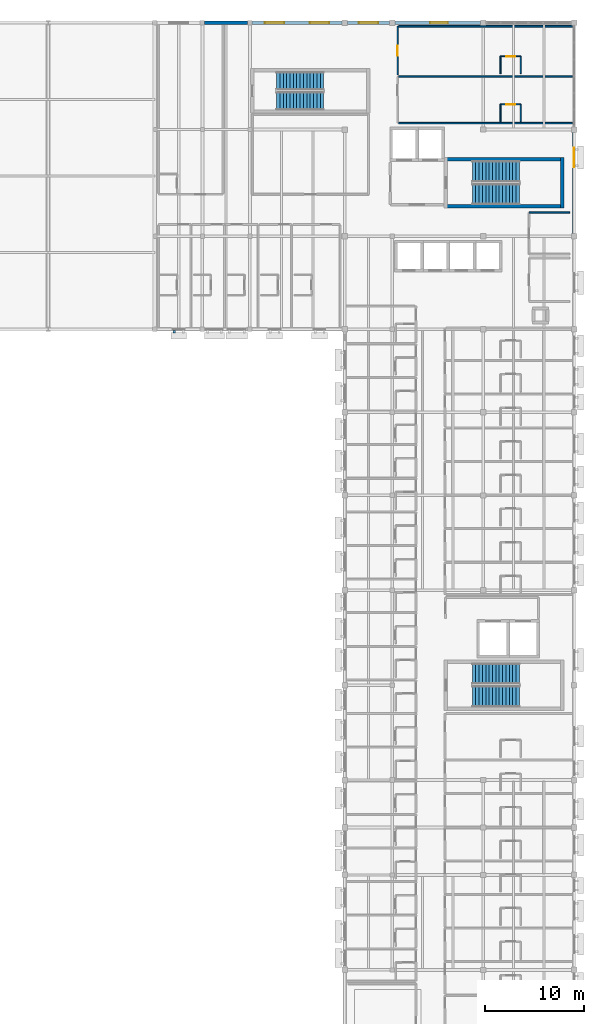
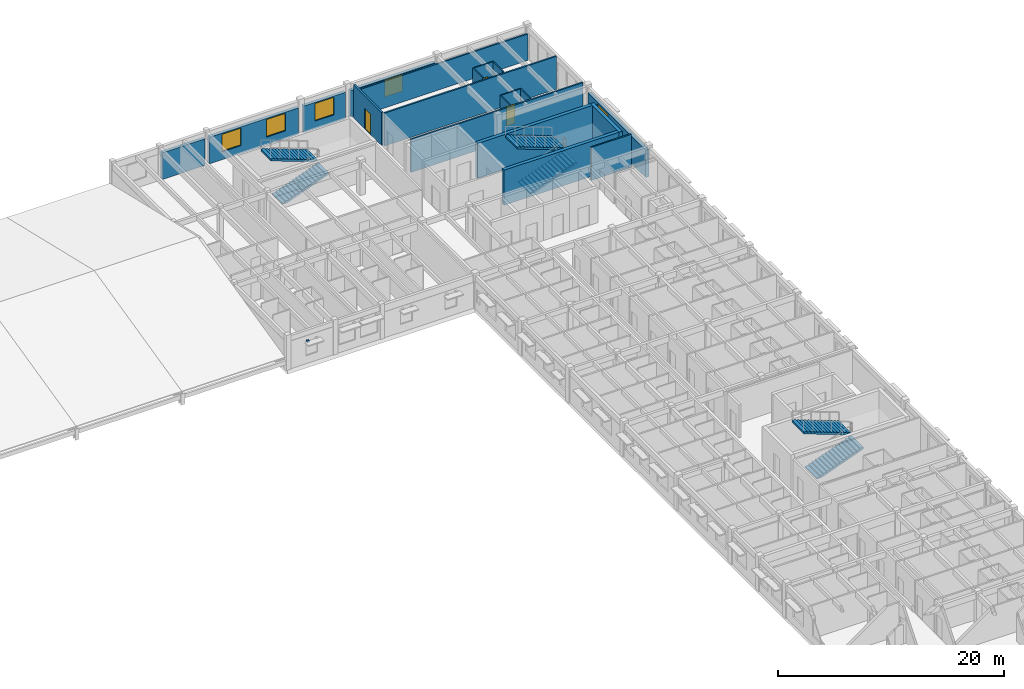
# One storey, part 34 of 40: 19 walls, 6 stair flights, 5 windows, 3 doors, 1 discrete accessory, 8 openings, 3 elements without a shape of their own.
"""IFC4 building model written with IfcOpenShell, lengths in metres."""

from ifc_helpers import new_model, si_unit, direction, frame, frame_2d, origin, origin_2d, place, context, subcontext, project, spatial, polyline, rectangle, outline, extrude, material, layer, layer_set, type_object, element, fill, aggregate, save


model = new_model("IFC4")

# Units and contexts
model_context = context("Model", 3, precision=1e-05, world=origin(), true_north=direction((0.0, 1.0)))
body_context = subcontext(model_context, "Body", "Model", "MODEL_VIEW")
ifc_project = project(units=[si_unit("LENGTHUNIT", "METRE"), si_unit("AREAUNIT", "SQUARE_METRE"), si_unit("VOLUMEUNIT", "CUBIC_METRE"), si_unit("PLANEANGLEUNIT", "RADIAN"), si_unit("MASSUNIT", "GRAM", prefix="KILO")], contexts=[model_context])

# Site, building, storey
site_placement = place(None, origin())
site = spatial("IfcSite", under=ifc_project, at=site_placement, CompositionType="ELEMENT")
building_placement = place(site_placement, origin())
building = spatial("IfcBuilding", under=site, at=building_placement, Name="Veldera Park Congress Hotel", CompositionType="ELEMENT")
storey_placement = place(building_placement, frame((0.0, 0.0, 16.199951171875)))
storey = spatial("IfcBuildingStorey", under=building, at=storey_placement, Name="L03", CompositionType="ELEMENT", Elevation=16.199951171875)

# Wall, opening, window
ifc_material_1 = material(Name="Cross-laminated timber CLT V2M1.1", Category="wood")
ifc_layer_1 = layer(ifc_material_1, 0.320068359375)
ifc_layer_set_1 = layer_set([ifc_layer_1], Name="Cross-laminated timber CLT V2M1.1")
wall_type_1 = type_object("IfcWallType", Name="EW-CLT320", PredefinedType="STANDARD", material=ifc_layer_set_1)
wall_1_placement = place(storey_placement, frame((84.0, 36.677978515625, 0.0), z_axis=(0.0, 0.0, 1.0), x_axis=(0.0, 1.0, 0.0)))
wall_1 = element("IfcWall", 1, at=wall_1_placement, inside=storey, type_object=wall_type_1, Name="L03 Exterior Wall EW3-L03-0221", PredefinedType="STANDARD", context=body_context, shape_type="SweptSolid", body=[
    extrude(rectangle(XDim=10.244140625, YDim=0.320068359375, at=frame_2d((5.1220703125, 0.0))), origin(), (0.0, 0.0, 1.0), 2.97509765625),
])
opening_1_placement = place(wall_1_placement, frame((6.7080078125, 0.0, 0.85009765625)))
opening_1 = element("IfcOpeningElement", 2, at=opening_1_placement, cuts=wall_1, Name="Opening WIN-1950", PredefinedType="OPENING", context=body_context, shape_type="SweptSolid", body=[
    extrude(rectangle(XDim=1.949951171875, YDim=1.89990234375, at=frame_2d((0.97509765625, 0.949951171875))), frame((0.0, 0.172119140625, 0.0), z_axis=(0.0, -1.0, 0.0), x_axis=(1.0, 0.0, 0.0)), (0.0, 0.0, 1.0), 0.343994140625),
])
ifc_material_2 = material(Name="Low-E Triple Insulating Glass Unit (SHGC 0.22)", Category="glass")
window_type_1 = type_object("IfcWindowType", Name="WIN-1950", PartitioningType="DOUBLE_PANEL_VERTICAL", PredefinedType="WINDOW", material=ifc_material_2)
window_1_placement = place(opening_1_placement, origin())
window_1 = element("IfcWindow", 3, at=window_1_placement, inside=storey, type_object=window_type_1, Name="L03 Window WIN-1950 190", OverallHeight=1.89990234375, OverallWidth=1.949951171875, PartitioningType="DOUBLE_PANEL_VERTICAL", PredefinedType="WINDOW", context=body_context, shape_type="SweptSolid", body=[
    extrude(rectangle(XDim=1.949951171875, YDim=1.89990234375, at=frame_2d((0.97509765625, 0.949951171875))), frame((0.0, 0.030029296875, 0.0), z_axis=(0.0, -1.0, 0.0), x_axis=(1.0, 0.0, 0.0)), (0.0, 0.0, 1.0), 0.06005859375),
])
fill(opening_1, window_1)

wall_2_placement = place(storey_placement, frame((74.52197265625, 58.0, 0.0), z_axis=(0.0, 0.0, 1.0), x_axis=(-1.0, 0.0, 0.0)))
wall_2 = element("IfcWall", 4, at=wall_2_placement, inside=storey, type_object=wall_type_1, Name="L03 Exterior Wall EW3-L03-0222", PredefinedType="STANDARD", context=body_context, shape_type="SweptSolid", body=[
    extrude(rectangle(XDim=8.6640625, YDim=0.320068359375, at=frame_2d((4.33203125, 0.0))), origin(), (0.0, 0.0, 1.0), 2.875),
])
opening_2_placement = place(wall_2_placement, frame((3.285888671875, 0.0, 0.85009765625)))
opening_2 = element("IfcOpeningElement", 5, at=opening_2_placement, cuts=wall_2, Name="Opening WIN-1800", PredefinedType="OPENING", context=body_context, shape_type="SweptSolid", body=[
    extrude(rectangle(XDim=1.800048828125, YDim=1.85009765625, at=frame_2d((0.89990234375, 0.925048828125))), frame((0.0, 0.172119140625, 0.0), z_axis=(0.0, -1.0, 0.0), x_axis=(1.0, 0.0, 0.0)), (0.0, 0.0, 1.0), 0.343994140625),
])
window_type_2 = type_object("IfcWindowType", Name="WIN-1800", PartitioningType="SINGLE_PANEL", PredefinedType="WINDOW", material=ifc_material_2)
window_2_placement = place(opening_2_placement, origin())
window_2 = element("IfcWindow", 6, at=window_2_placement, inside=storey, type_object=window_type_2, Name="L03 Window WIN-1800 438", OverallHeight=1.85009765625, OverallWidth=1.800048828125, PartitioningType="SINGLE_PANEL", PredefinedType="WINDOW", context=body_context, shape_type="SweptSolid", body=[
    extrude(rectangle(XDim=1.800048828125, YDim=1.85009765625, at=frame_2d((0.89990234375, 0.925048828125))), frame((0.0, 0.030029296875, 0.0), z_axis=(0.0, -1.0, 0.0), x_axis=(1.0, 0.0, 0.0)), (0.0, 0.0, 1.0), 0.06005859375),
])
fill(opening_2, window_2)

wall_3_placement = place(storey_placement, frame((65.342041015625, 58.0, 0.0), z_axis=(0.0, 0.0, 1.0), x_axis=(-1.0, 0.0, 0.0)))
wall_3 = element("IfcWall", 7, at=wall_3_placement, inside=storey, type_object=wall_type_1, Name="L03 Exterior Wall EW3-L03-0223", PredefinedType="STANDARD", context=body_context, shape_type="SweptSolid", body=[
    extrude(rectangle(XDim=4.26416015625, YDim=0.320068359375, at=frame_2d((2.132080078125, 0.0))), origin(), (0.0, 0.0, 1.0), 2.875),
])
opening_3_placement = place(wall_3_placement, frame((1.156982421875, 0.0, 0.85009765625)))
opening_3 = element("IfcOpeningElement", 8, at=opening_3_placement, cuts=wall_3, Name="Opening WIN-1950", PredefinedType="OPENING", context=body_context, shape_type="SweptSolid", body=[
    extrude(rectangle(XDim=1.949951171875, YDim=1.89990234375, at=frame_2d((0.97509765625, 0.949951171875))), frame((0.0, 0.172119140625, 0.0), z_axis=(0.0, -1.0, 0.0), x_axis=(1.0, 0.0, 0.0)), (0.0, 0.0, 1.0), 0.343994140625),
])
window_3_placement = place(opening_3_placement, origin())
window_3 = element("IfcWindow", 9, at=window_3_placement, inside=storey, type_object=window_type_1, Name="L03 Window WIN-1950 191", OverallHeight=1.89990234375, OverallWidth=1.949951171875, PartitioningType="DOUBLE_PANEL_VERTICAL", PredefinedType="WINDOW", context=body_context, shape_type="SweptSolid", body=[
    extrude(rectangle(XDim=1.949951171875, YDim=1.89990234375, at=frame_2d((0.97509765625, 0.949951171875))), frame((0.0, 0.030029296875, 0.0), z_axis=(0.0, -1.0, 0.0), x_axis=(1.0, 0.0, 0.0)), (0.0, 0.0, 1.0), 0.06005859375),
])
fill(opening_3, window_3)

# Wall, openings, windows
wall_4_placement = place(storey_placement, frame((60.52197265625, 58.0, 0.0), z_axis=(0.0, 0.0, 1.0), x_axis=(-1.0, 0.0, 0.0)))
wall_4 = element("IfcWall", 10, at=wall_4_placement, inside=storey, type_object=wall_type_1, Name="L03 Exterior Wall EW3-L03-0224", PredefinedType="STANDARD", context=body_context, shape_type="SweptSolid", body=[
    extrude(rectangle(XDim=9.098876953125, YDim=0.320068359375, at=frame_2d((4.54931640625, 0.0))), origin(), (0.0, 0.0, 1.0), 2.875),
])
opening_4_placement = place(wall_4_placement, frame((1.2998046875, 0.0, 0.85009765625)))
opening_4 = element("IfcOpeningElement", 11, at=opening_4_placement, cuts=wall_4, Name="Opening WIN-1950", PredefinedType="OPENING", context=body_context, shape_type="SweptSolid", body=[
    extrude(rectangle(XDim=1.949951171875, YDim=1.89990234375, at=frame_2d((0.97509765625, 0.949951171875))), frame((0.0, 0.172119140625, 0.0), z_axis=(0.0, -1.0, 0.0), x_axis=(1.0, 0.0, 0.0)), (0.0, 0.0, 1.0), 0.343994140625),
])
opening_5_placement = place(wall_4_placement, frame((5.84912109375, 0.0, 0.85009765625)))
opening_5 = element("IfcOpeningElement", 12, at=opening_5_placement, cuts=wall_4, Name="Opening WIN-1950", PredefinedType="OPENING", context=body_context, shape_type="SweptSolid", body=[
    extrude(rectangle(XDim=1.949951171875, YDim=1.89990234375, at=frame_2d((0.97509765625, 0.949951171875))), frame((0.0, 0.172119140625, 0.0), z_axis=(0.0, -1.0, 0.0), x_axis=(1.0, 0.0, 0.0)), (0.0, 0.0, 1.0), 0.343994140625),
])
window_4_placement = place(opening_4_placement, origin())
window_4 = element("IfcWindow", 13, at=window_4_placement, inside=storey, type_object=window_type_1, Name="L03 Window WIN-1950 192", OverallHeight=1.89990234375, OverallWidth=1.949951171875, PartitioningType="DOUBLE_PANEL_VERTICAL", PredefinedType="WINDOW", context=body_context, shape_type="SweptSolid", body=[
    extrude(rectangle(XDim=1.949951171875, YDim=1.89990234375, at=frame_2d((0.97509765625, 0.949951171875))), frame((0.0, 0.030029296875, 0.0), z_axis=(0.0, -1.0, 0.0), x_axis=(1.0, 0.0, 0.0)), (0.0, 0.0, 1.0), 0.06005859375),
])
fill(opening_4, window_4)
window_5_placement = place(opening_5_placement, origin())
window_5 = element("IfcWindow", 14, at=window_5_placement, inside=storey, type_object=window_type_1, Name="L03 Window WIN-1950 193", OverallHeight=1.89990234375, OverallWidth=1.949951171875, PartitioningType="DOUBLE_PANEL_VERTICAL", PredefinedType="WINDOW", context=body_context, shape_type="SweptSolid", body=[
    extrude(rectangle(XDim=1.949951171875, YDim=1.89990234375, at=frame_2d((0.97509765625, 0.949951171875))), frame((0.0, 0.030029296875, 0.0), z_axis=(0.0, -1.0, 0.0), x_axis=(1.0, 0.0, 0.0)), (0.0, 0.0, 1.0), 0.06005859375),
])
fill(opening_5, window_5)

# Walls
wall_5_placement = place(storey_placement, frame((50.97705078125, 58.0, 0.0), z_axis=(0.0, 0.0, 1.0), x_axis=(-1.0, 0.0, 0.0)))
element("IfcWall", 15, at=wall_5_placement, inside=storey, type_object=wall_type_1, Name="L03 Exterior Wall EW3-L03-0225", PredefinedType="STANDARD", context=body_context, shape_type="SweptSolid", body=[
    extrude(rectangle(XDim=4.35400390625, YDim=0.320068359375, at=frame_2d((2.177001953125, 0.0))), origin(), (0.0, 0.0, 1.0), 2.875),
])
ifc_material_3 = material(Name="Fire-Rated Gypsum Board on Cold-Formed Steel Studs", Category="steel")
ifc_layer_2 = layer(ifc_material_3, 0.1201171875)
ifc_layer_set_2 = layer_set([ifc_layer_2], Name="Fire-Rated Gypsum Board on Cold-Formed Steel Studs")
wall_type_2 = type_object("IfcWallType", Name="IW-BATH120", PredefinedType="PARTITIONING", material=ifc_layer_set_2)
for number, where, z_axis, x_axis, name in (
    (16, (76.550048828125, 48.0, 0.0), (0.0, 0.0, 1.0), (0.0, 1.0, 0.0), "L03 Partition Wall IW3-L03-00789"),
    (17, (78.60009765625, 48.0, 0.0), (0.0, 0.0, 1.0), (0.0, 1.0, 0.0), "L03 Partition Wall IW3-L03-00790"),
):
    element("IfcWall", number, at=place(storey_placement, frame(where, z_axis=z_axis, x_axis=x_axis)), inside=storey, type_object=wall_type_2, Name=name, PredefinedType="PARTITIONING", context=body_context, shape_type="SweptSolid", body=[
        extrude(rectangle(XDim=1.75, YDim=0.1201171875, at=frame_2d((0.875, 0.0))), origin(), (0.0, 0.0, 1.0), 3.56005859375),
    ])

# Wall, opening, door
wall_6_placement = place(storey_placement, frame((76.550048828125, 49.75, 0.0), z_axis=(0.0, 0.0, 1.0), x_axis=(1.0, 0.0, 0.0)))
wall_6 = element("IfcWall", 18, at=wall_6_placement, inside=storey, type_object=wall_type_2, Name="L03 Partition Wall IW3-L03-00791", PredefinedType="PARTITIONING", context=body_context, shape_type="SweptSolid", body=[
    extrude(rectangle(XDim=2.050048828125, YDim=0.1201171875, at=frame_2d((1.02490234375, 0.0))), origin(), (0.0, 0.0, 1.0), 3.56005859375),
])
opening_6_placement = place(wall_6_placement, frame((0.574951171875, 0.0, 0.0)))
opening_6 = element("IfcOpeningElement", 19, at=opening_6_placement, cuts=wall_6, Name="Opening ID-BATH090", PredefinedType="OPENING", context=body_context, shape_type="SweptSolid", body=[
    extrude(rectangle(XDim=0.89990234375, YDim=2.14990234375, at=frame_2d((0.449951171875, 1.074951171875))), frame((0.0, 0.072021484375, 0.0), z_axis=(0.0, -1.0, 0.0), x_axis=(1.0, 0.0, 0.0)), (0.0, 0.0, 1.0), 0.14404296875),
])
ifc_material_4 = material(Name="Solid Core White Oak Architectural Door", Category="wood")
door_type_1 = type_object("IfcDoorType", Name="ID-BATH090", OperationType="NOTDEFINED", PredefinedType="DOOR", material=ifc_material_4)
door_1_placement = place(opening_6_placement, origin())
door_1 = element("IfcDoor", 20, at=door_1_placement, inside=storey, type_object=door_type_1, Name="L03 En-suite 092 Door ID3-L03-0323 (DR3-ID3-L03-0323)", OperationType="SINGLE_SWING_LEFT", OverallHeight=2.14990234375, OverallWidth=0.89990234375, PredefinedType="DOOR", context=body_context, shape_type="SweptSolid", body=[
    extrude(rectangle(XDim=0.89990234375, YDim=2.14990234375, at=frame_2d((0.449951171875, 1.074951171875))), frame((0.0, 0.02490234375, 0.0), z_axis=(0.0, -1.0, 0.0), x_axis=(1.0, 0.0, 0.0)), (0.0, 0.0, 1.0), 0.050048828125),
])
fill(opening_6, door_1)

# Walls
for number, where, z_axis, x_axis, name in (
    (21, (76.550048828125, 52.85009765625, 0.0), (0.0, 0.0, 1.0), (0.0, 1.0, 0.0), "L03 Partition Wall IW3-L03-00794"),
    (22, (78.60009765625, 52.85009765625, 0.0), (0.0, 0.0, 1.0), (0.0, 1.0, 0.0), "L03 Partition Wall IW3-L03-00795"),
):
    element("IfcWall", number, at=place(storey_placement, frame(where, z_axis=z_axis, x_axis=x_axis)), inside=storey, type_object=wall_type_2, Name=name, PredefinedType="PARTITIONING", context=body_context, shape_type="SweptSolid", body=[
        extrude(rectangle(XDim=1.75, YDim=0.1201171875, at=frame_2d((0.875, 0.0))), origin(), (0.0, 0.0, 1.0), 3.56005859375),
    ])

# Wall, opening, door
wall_7_placement = place(storey_placement, frame((76.550048828125, 54.60009765625, 0.0), z_axis=(0.0, 0.0, 1.0), x_axis=(1.0, 0.0, 0.0)))
wall_7 = element("IfcWall", 23, at=wall_7_placement, inside=storey, type_object=wall_type_2, Name="L03 Partition Wall IW3-L03-00796", PredefinedType="PARTITIONING", context=body_context, shape_type="SweptSolid", body=[
    extrude(rectangle(XDim=2.050048828125, YDim=0.1201171875, at=frame_2d((1.02490234375, 0.0))), origin(), (0.0, 0.0, 1.0), 3.56005859375),
])
opening_7_placement = place(wall_7_placement, frame((0.574951171875, 0.0, 0.0)))
opening_7 = element("IfcOpeningElement", 24, at=opening_7_placement, cuts=wall_7, Name="Opening ID-BATH090", PredefinedType="OPENING", context=body_context, shape_type="SweptSolid", body=[
    extrude(rectangle(XDim=0.89990234375, YDim=2.14990234375, at=frame_2d((0.449951171875, 1.074951171875))), frame((0.0, 0.072021484375, 0.0), z_axis=(0.0, -1.0, 0.0), x_axis=(1.0, 0.0, 0.0)), (0.0, 0.0, 1.0), 0.14404296875),
])
door_2_placement = place(opening_7_placement, origin())
door_2 = element("IfcDoor", 25, at=door_2_placement, inside=storey, type_object=door_type_1, Name="L03 En-suite 093 Door ID3-L03-0325 (DR3-ID3-L03-0325)", OperationType="SINGLE_SWING_LEFT", OverallHeight=2.14990234375, OverallWidth=0.89990234375, PredefinedType="DOOR", context=body_context, shape_type="SweptSolid", body=[
    extrude(rectangle(XDim=0.89990234375, YDim=2.14990234375, at=frame_2d((0.449951171875, 1.074951171875))), frame((0.0, 0.02490234375, 0.0), z_axis=(0.0, -1.0, 0.0), x_axis=(1.0, 0.0, 0.0)), (0.0, 0.0, 1.0), 0.050048828125),
])
fill(opening_7, door_2)

ifc_layer_3 = layer(ifc_material_3, 0.179931640625)
ifc_layer_set_3 = layer_set([ifc_layer_3], Name="Fire-Rated Gypsum Board on Cold-Formed Steel Studs")
wall_type_3 = type_object("IfcWallType", Name="IW-CORR180", PredefinedType="PARTITIONING", material=ifc_layer_set_3)
wall_8_placement = place(storey_placement, frame((66.14990234375, 57.64990234375, 0.0), z_axis=(0.0, 0.0, 1.0), x_axis=(0.0, -1.0, 0.0)))
wall_8 = element("IfcWall", 26, at=wall_8_placement, inside=storey, type_object=wall_type_3, Name="L03 Corridor Wall IW3-L03-00792", PredefinedType="PARTITIONING", context=body_context, shape_type="SweptSolid", body=[
    extrude(rectangle(XDim=4.949951171875, YDim=0.179931640625, at=frame_2d((2.47509765625, 0.0))), origin(), (0.0, 0.0, 1.0), 3.56005859375),
])
opening_8_placement = place(wall_8_placement, frame((1.97509765625, 0.0, 0.0)))
opening_8 = element("IfcOpeningElement", 27, at=opening_8_placement, cuts=wall_8, Name="Opening ID-UNIT100", PredefinedType="OPENING", context=body_context, shape_type="SweptSolid", body=[
    extrude(rectangle(XDim=1.0, YDim=2.199951171875, at=frame_2d((0.5, 1.10009765625))), frame((0.0, 0.10205078125, 0.0), z_axis=(0.0, -1.0, 0.0), x_axis=(1.0, 0.0, 0.0)), (0.0, 0.0, 1.0), 0.203857421875),
])
door_type_2 = type_object("IfcDoorType", Name="ID-UNIT100", OperationType="NOTDEFINED", PredefinedType="DOOR", material=ifc_material_4)
door_3_placement = place(opening_8_placement, origin())
door_3 = element("IfcDoor", 28, at=door_3_placement, inside=storey, type_object=door_type_2, Name="L03 Guestroom 093 Entry Door (DR3-UD3-L03-093)", OperationType="SINGLE_SWING_RIGHT", OverallHeight=2.199951171875, OverallWidth=1.0, PredefinedType="DOOR", context=body_context, shape_type="SweptSolid", body=[
    extrude(rectangle(XDim=1.0, YDim=2.199951171875, at=frame_2d((0.5, 1.10009765625))), frame((0.0, 0.02490234375, 0.0), z_axis=(0.0, -1.0, 0.0), x_axis=(1.0, 0.0, 0.0)), (0.0, 0.0, 1.0), 0.050048828125),
])
fill(opening_8, door_3)

# Walls
ifc_layer_4 = layer(ifc_material_3, 0.14990234375)
ifc_layer_set_4 = layer_set([ifc_layer_4], Name="Fire-Rated Gypsum Board on Cold-Formed Steel Studs")
wall_type_4 = type_object("IfcWallType", Name="IW-PLMB150", PredefinedType="PLUMBINGWALL", material=ifc_layer_set_4)
wall_9_placement = place(storey_placement, frame((83.550048828125, 38.800048828125, 0.0), z_axis=(0.0, 0.0, 1.0), x_axis=(-1.0, 0.0, 0.0)))
element("IfcWall", 29, at=wall_9_placement, inside=storey, type_object=wall_type_4, Name="L03 Partition Wall IW3-L03-00226", PredefinedType="PLUMBINGWALL", context=body_context, shape_type="SweptSolid", body=[
    extrude(rectangle(XDim=4.10009765625, YDim=0.14990234375, at=frame_2d((2.050048828125, 0.0))), origin(), (0.0, 0.0, 1.0), 3.56005859375),
])
ifc_layer_5 = layer(ifc_material_1, 0.159912109375)
ifc_layer_set_5 = layer_set([ifc_layer_5], Name="Cross-laminated timber CLT V2M1.1")
wall_type_5 = type_object("IfcWallType", Name="IW-UNIT160", PredefinedType="PARTITIONING", material=ifc_layer_set_5)
for number, where, z_axis, x_axis, name in (
    (30, (66.25, 47.85009765625, 0.0), (0.0, 0.0, 1.0), (1.0, 0.0, 0.0), "L03 Partition Wall IW3-L03-00787"),
    (31, (66.25, 52.550048828125, 0.0), (0.0, 0.0, 1.0), (1.0, 0.0, 0.0), "L03 Partition Wall IW3-L03-00788"),
):
    element("IfcWall", number, at=place(storey_placement, frame(where, z_axis=z_axis, x_axis=x_axis)), inside=storey, type_object=wall_type_5, Name=name, PredefinedType="PARTITIONING", context=body_context, shape_type="SweptSolid", body=[
        extrude(rectangle(XDim=17.590087890625, YDim=0.159912109375, at=frame_2d((8.794921875, 0.0))), origin(), (0.0, 0.0, 1.0), 3.56005859375),
    ])
wall_10_placement = place(storey_placement, frame((66.25, 57.64990234375, 0.0), z_axis=(0.0, 0.0, 1.0), x_axis=(1.0, 0.0, 0.0)))
element("IfcWall", 32, at=wall_10_placement, inside=storey, type_object=wall_type_5, Name="L03 Partition Wall IW3-L03-00793", PredefinedType="PARTITIONING", context=body_context, shape_type="SweptSolid", body=[
    extrude(rectangle(XDim=17.590087890625, YDim=0.159912109375, at=frame_2d((8.794921875, 0.0))), origin(), (0.0, 0.0, 1.0), 2.875),
])
ifc_material_5 = material(Name="Concrete f'c 40 MPa (5,800 psi)", Category="concrete")
ifc_layer_6 = layer(ifc_material_5, 0.35009765625)
ifc_layer_set_6 = layer_set([ifc_layer_6], Name="Concrete f'c 40 MPa (5,800 psi)")
wall_type_6 = type_object("IfcWallType", Name="SW-CORE350", PredefinedType="SHEAR", material=ifc_layer_set_6)
wall_11_placement = place(storey_placement, frame((70.85009765625, 39.425048828125, 0.0), z_axis=(0.0, 0.0, 1.0), x_axis=(1.0, 0.0, 0.0)))
element("IfcWall", 33, at=wall_11_placement, inside=storey, type_object=wall_type_6, Name="Stair ST1 Core Wall L03-S", PredefinedType="SHEAR", context=body_context, shape_type="SweptSolid", body=[
    extrude(rectangle(XDim=12.099853515625, YDim=0.35009765625, at=frame_2d((6.0498046875, 0.0))), origin(), (0.0, 0.0, 1.0), 3.800048828125),
])
wall_12_placement = place(storey_placement, frame((82.77490234375, 39.25, 0.0), z_axis=(0.0, 0.0, 1.0), x_axis=(0.0, 1.0, 0.0)))
element("IfcWall", 34, at=wall_12_placement, inside=storey, type_object=wall_type_6, Name="Stair ST1 Core Wall L03-E", PredefinedType="SHEAR", context=body_context, shape_type="SweptSolid", body=[
    extrude(rectangle(XDim=5.10009765625, YDim=0.35009765625, at=frame_2d((2.550048828125, 0.0))), origin(), (0.0, 0.0, 1.0), 3.800048828125),
])
wall_13_placement = place(storey_placement, frame((82.949951171875, 44.175048828125, 0.0), z_axis=(0.0, 0.0, 1.0), x_axis=(-1.0, 0.0, 0.0)))
element("IfcWall", 35, at=wall_13_placement, inside=storey, type_object=wall_type_6, Name="Stair ST1 Core Wall L03-N", PredefinedType="SHEAR", context=body_context, shape_type="SweptSolid", body=[
    extrude(rectangle(XDim=12.099853515625, YDim=0.35009765625, at=frame_2d((6.0498046875, 0.0))), origin(), (0.0, 0.0, 1.0), 3.800048828125),
])

# Stair, stair flights
stair_type_1 = type_object("IfcStairType", Name="ST1", PredefinedType="HALF_TURN_STAIR", material=ifc_material_5)
stair_1_placement = place(storey_placement, origin())
stair_1 = element("IfcStair", 36, at=stair_1_placement, inside=storey, type_object=stair_type_1, Name="L03 Protected Exit Stair ST1", PredefinedType="HALF_TURN_STAIR")
stair_flight_type_1 = type_object("IfcStairFlightType", Name="SFL-ST1", PredefinedType="STRAIGHT", material=ifc_material_5)
stair_flight_1_placement = place(storey_placement, frame((73.699951171875, 40.64990234375, 0.0), z_axis=(0.0, 0.0, 1.0), x_axis=(1.0, 0.0, 0.0)))
stair_flight_1 = element("IfcStairFlight", 37, at=stair_flight_1_placement, type_object=stair_flight_type_1, Name="ST1 flight 1", NumberOfRisers=15, NumberOfTreads=14, PredefinedType="STRAIGHT", RiserHeight=0.126666667, TreadLength=0.34, context=body_context, shape_type="SweptSolid", body=[
    extrude(outline(polyline([(0.0, 0.0), (0.0, 0.126708984375), (0.340087890625, 0.126708984375), (0.340087890625, 0.25341796875), (0.679931640625, 0.25341796875), (0.679931640625, 0.3798828125), (1.02001953125, 0.3798828125), (1.02001953125, 0.506591796875), (1.360107421875, 0.506591796875), (1.360107421875, 0.63330078125), (1.699951171875, 0.63330078125), (1.699951171875, 0.760009765625), (2.0400390625, 0.760009765625), (2.0400390625, 0.88671875), (2.3798828125, 0.88671875), (2.3798828125, 1.013427734375), (2.719970703125, 1.013427734375), (2.719970703125, 1.139892578125), (3.06005859375, 1.139892578125), (3.06005859375, 1.2666015625), (3.39990234375, 1.2666015625), (3.39990234375, 1.393310546875), (3.739990234375, 1.393310546875), (3.739990234375, 1.52001953125), (4.080078125, 1.52001953125), (4.080078125, 1.646728515625), (4.419921875, 1.646728515625), (4.419921875, 1.7734375), (4.760009765625, 1.7734375), (4.760009765625, 1.89990234375), (4.760009765625, 1.89990234375), (4.760009765625, 1.581298828125), (0.515380859375, 0.0), (0.0, 0.0)])), frame((0.0, 1.050048828125, 0.0), z_axis=(0.0, -1.0, 0.0), x_axis=(1.0, 0.0, 0.0)), (0.0, 0.0, 1.0), 2.10009765625),
])
stair_flight_2_placement = place(storey_placement, frame((78.4599609375, 42.949951171875, 1.900146484375), z_axis=(0.0, 0.0, 1.0), x_axis=(-1.0, 0.0, 0.0)))
stair_flight_2 = element("IfcStairFlight", 38, at=stair_flight_2_placement, type_object=stair_flight_type_1, Name="ST1 flight 2", NumberOfRisers=15, NumberOfTreads=14, PredefinedType="STRAIGHT", RiserHeight=0.126666667, TreadLength=0.34, context=body_context, shape_type="SweptSolid", body=[
    extrude(outline(polyline([(0.0, 0.0), (0.0, 0.126708984375), (0.340087890625, 0.126708984375), (0.340087890625, 0.25341796875), (0.679931640625, 0.25341796875), (0.679931640625, 0.3798828125), (1.02001953125, 0.3798828125), (1.02001953125, 0.506591796875), (1.360107421875, 0.506591796875), (1.360107421875, 0.63330078125), (1.699951171875, 0.63330078125), (1.699951171875, 0.760009765625), (2.0400390625, 0.760009765625), (2.0400390625, 0.88671875), (2.3798828125, 0.88671875), (2.3798828125, 1.013427734375), (2.719970703125, 1.013427734375), (2.719970703125, 1.139892578125), (3.06005859375, 1.139892578125), (3.06005859375, 1.2666015625), (3.39990234375, 1.2666015625), (3.39990234375, 1.393310546875), (3.739990234375, 1.393310546875), (3.739990234375, 1.52001953125), (4.080078125, 1.52001953125), (4.080078125, 1.646728515625), (4.419921875, 1.646728515625), (4.419921875, 1.7734375), (4.760009765625, 1.7734375), (4.760009765625, 1.89990234375), (4.760009765625, 1.89990234375), (4.760009765625, 1.581298828125), (0.515380859375, 0.0), (0.0, 0.0)])), frame((0.0, 1.050048828125, 0.0), z_axis=(0.0, -1.0, 0.0), x_axis=(1.0, 0.0, 0.0)), (0.0, 0.0, 1.0), 2.10009765625),
])
aggregate(stair_1, [stair_flight_1, stair_flight_2])

stair_type_2 = type_object("IfcStairType", Name="ST2", PredefinedType="HALF_TURN_STAIR", material=ifc_material_5)
stair_2_placement = place(storey_placement, origin())
stair_2 = element("IfcStair", 39, at=stair_2_placement, inside=storey, type_object=stair_type_2, Name="L03 Protected Exit Stair ST2", PredefinedType="HALF_TURN_STAIR")
stair_flight_type_2 = type_object("IfcStairFlightType", Name="SFL-ST2", PredefinedType="STRAIGHT", material=ifc_material_5)
stair_flight_3_placement = place(storey_placement, frame((73.699951171875, -10.14990234375, 0.0), z_axis=(0.0, 0.0, 1.0), x_axis=(1.0, 0.0, 0.0)))
stair_flight_3 = element("IfcStairFlight", 40, at=stair_flight_3_placement, type_object=stair_flight_type_2, Name="ST2 flight 1", NumberOfRisers=15, NumberOfTreads=14, PredefinedType="STRAIGHT", RiserHeight=0.126666667, TreadLength=0.34, context=body_context, shape_type="SweptSolid", body=[
    extrude(outline(polyline([(0.0, 0.0), (0.0, 0.126708984375), (0.340087890625, 0.126708984375), (0.340087890625, 0.25341796875), (0.679931640625, 0.25341796875), (0.679931640625, 0.3798828125), (1.02001953125, 0.3798828125), (1.02001953125, 0.506591796875), (1.360107421875, 0.506591796875), (1.360107421875, 0.63330078125), (1.699951171875, 0.63330078125), (1.699951171875, 0.760009765625), (2.0400390625, 0.760009765625), (2.0400390625, 0.88671875), (2.3798828125, 0.88671875), (2.3798828125, 1.013427734375), (2.719970703125, 1.013427734375), (2.719970703125, 1.139892578125), (3.06005859375, 1.139892578125), (3.06005859375, 1.2666015625), (3.39990234375, 1.2666015625), (3.39990234375, 1.393310546875), (3.739990234375, 1.393310546875), (3.739990234375, 1.52001953125), (4.080078125, 1.52001953125), (4.080078125, 1.646728515625), (4.419921875, 1.646728515625), (4.419921875, 1.7734375), (4.760009765625, 1.7734375), (4.760009765625, 1.89990234375), (4.760009765625, 1.89990234375), (4.760009765625, 1.581298828125), (0.515380859375, 0.0), (0.0, 0.0)])), frame((0.0, 1.050048828125, 0.0), z_axis=(0.0, -1.0, 0.0), x_axis=(1.0, 0.0, 0.0)), (0.0, 0.0, 1.0), 2.10009765625),
])
stair_flight_4_placement = place(storey_placement, frame((78.4599609375, -7.85009765625, 1.900146484375), z_axis=(0.0, 0.0, 1.0), x_axis=(-1.0, 0.0, 0.0)))
stair_flight_4 = element("IfcStairFlight", 41, at=stair_flight_4_placement, type_object=stair_flight_type_2, Name="ST2 flight 2", NumberOfRisers=15, NumberOfTreads=14, PredefinedType="STRAIGHT", RiserHeight=0.126666667, TreadLength=0.34, context=body_context, shape_type="SweptSolid", body=[
    extrude(outline(polyline([(0.0, 0.0), (0.0, 0.126708984375), (0.340087890625, 0.126708984375), (0.340087890625, 0.25341796875), (0.679931640625, 0.25341796875), (0.679931640625, 0.3798828125), (1.02001953125, 0.3798828125), (1.02001953125, 0.506591796875), (1.360107421875, 0.506591796875), (1.360107421875, 0.63330078125), (1.699951171875, 0.63330078125), (1.699951171875, 0.760009765625), (2.0400390625, 0.760009765625), (2.0400390625, 0.88671875), (2.3798828125, 0.88671875), (2.3798828125, 1.013427734375), (2.719970703125, 1.013427734375), (2.719970703125, 1.139892578125), (3.06005859375, 1.139892578125), (3.06005859375, 1.2666015625), (3.39990234375, 1.2666015625), (3.39990234375, 1.393310546875), (3.739990234375, 1.393310546875), (3.739990234375, 1.52001953125), (4.080078125, 1.52001953125), (4.080078125, 1.646728515625), (4.419921875, 1.646728515625), (4.419921875, 1.7734375), (4.760009765625, 1.7734375), (4.760009765625, 1.89990234375), (4.760009765625, 1.89990234375), (4.760009765625, 1.581298828125), (0.515380859375, 0.0), (0.0, 0.0)])), frame((0.0, 1.050048828125, 0.0), z_axis=(0.0, -1.0, 0.0), x_axis=(1.0, 0.0, 0.0)), (0.0, 0.0, 1.0), 2.10009765625),
])
aggregate(stair_2, [stair_flight_3, stair_flight_4])

stair_type_3 = type_object("IfcStairType", Name="ST3", PredefinedType="HALF_TURN_STAIR", material=ifc_material_5)
stair_3_placement = place(storey_placement, origin())
stair_3 = element("IfcStair", 42, at=stair_3_placement, inside=storey, type_object=stair_type_3, Name="L03 Protected Exit Stair ST3", PredefinedType="HALF_TURN_STAIR")
stair_flight_type_3 = type_object("IfcStairFlightType", Name="SFL-ST3", PredefinedType="STRAIGHT", material=ifc_material_5)
stair_flight_5_placement = place(storey_placement, frame((53.89990234375, 50.10009765625, 0.0), z_axis=(0.0, 0.0, 1.0), x_axis=(1.0, 0.0, 0.0)))
stair_flight_5 = element("IfcStairFlight", 43, at=stair_flight_5_placement, type_object=stair_flight_type_3, Name="ST3 flight 1", NumberOfRisers=15, NumberOfTreads=14, PredefinedType="STRAIGHT", RiserHeight=0.126666667, TreadLength=0.34, context=body_context, shape_type="SweptSolid", body=[
    extrude(outline(polyline([(0.0, 0.0), (0.0, 0.126708984375), (0.340087890625, 0.126708984375), (0.340087890625, 0.25341796875), (0.679931640625, 0.25341796875), (0.679931640625, 0.3798828125), (1.02001953125, 0.3798828125), (1.02001953125, 0.506591796875), (1.360107421875, 0.506591796875), (1.360107421875, 0.63330078125), (1.699951171875, 0.63330078125), (1.699951171875, 0.760009765625), (2.0400390625, 0.760009765625), (2.0400390625, 0.88671875), (2.3798828125, 0.88671875), (2.3798828125, 1.013427734375), (2.719970703125, 1.013427734375), (2.719970703125, 1.139892578125), (3.06005859375, 1.139892578125), (3.06005859375, 1.2666015625), (3.39990234375, 1.2666015625), (3.39990234375, 1.393310546875), (3.739990234375, 1.393310546875), (3.739990234375, 1.52001953125), (4.080078125, 1.52001953125), (4.080078125, 1.646728515625), (4.419921875, 1.646728515625), (4.419921875, 1.7734375), (4.760009765625, 1.7734375), (4.760009765625, 1.89990234375), (4.760009765625, 1.89990234375), (4.760009765625, 1.581298828125), (0.515380859375, 0.0), (0.0, 0.0)])), frame((0.0, 0.89990234375, 0.0), z_axis=(0.0, -1.0, 0.0), x_axis=(1.0, 0.0, 0.0)), (0.0, 0.0, 1.0), 1.800048828125),
])
stair_flight_6_placement = place(storey_placement, frame((58.659912109375, 52.10009765625, 1.900146484375), z_axis=(0.0, 0.0, 1.0), x_axis=(-1.0, 0.0, 0.0)))
stair_flight_6 = element("IfcStairFlight", 44, at=stair_flight_6_placement, type_object=stair_flight_type_3, Name="ST3 flight 2", NumberOfRisers=15, NumberOfTreads=14, PredefinedType="STRAIGHT", RiserHeight=0.126666667, TreadLength=0.34, context=body_context, shape_type="SweptSolid", body=[
    extrude(outline(polyline([(0.0, 0.0), (0.0, 0.126708984375), (0.340087890625, 0.126708984375), (0.340087890625, 0.25341796875), (0.679931640625, 0.25341796875), (0.679931640625, 0.3798828125), (1.02001953125, 0.3798828125), (1.02001953125, 0.506591796875), (1.360107421875, 0.506591796875), (1.360107421875, 0.63330078125), (1.699951171875, 0.63330078125), (1.699951171875, 0.760009765625), (2.0400390625, 0.760009765625), (2.0400390625, 0.88671875), (2.3798828125, 0.88671875), (2.3798828125, 1.013427734375), (2.719970703125, 1.013427734375), (2.719970703125, 1.139892578125), (3.06005859375, 1.139892578125), (3.06005859375, 1.2666015625), (3.39990234375, 1.2666015625), (3.39990234375, 1.393310546875), (3.739990234375, 1.393310546875), (3.739990234375, 1.52001953125), (4.080078125, 1.52001953125), (4.080078125, 1.646728515625), (4.419921875, 1.646728515625), (4.419921875, 1.7734375), (4.760009765625, 1.7734375), (4.760009765625, 1.89990234375), (4.760009765625, 1.89990234375), (4.760009765625, 1.581298828125), (0.515380859375, 0.0), (0.0, 0.0)])), frame((0.0, 0.89990234375, 0.0), z_axis=(0.0, -1.0, 0.0), x_axis=(1.0, 0.0, 0.0)), (0.0, 0.0, 1.0), 1.800048828125),
])
aggregate(stair_3, [stair_flight_5, stair_flight_6])

# Discrete accessory
ifc_material_6 = material(Name="Steel ASTM A992 Gr.50", Category="steel")
discrete_accessory_type = type_object("IfcDiscreteAccessoryType", Name="ACC-BRK160", PredefinedType="BRACKET", material=ifc_material_6)
discrete_accessory_placement = place(storey_placement, frame((43.550048828125, 26.75, 2.3701171875), z_axis=(0.0, 0.0, 1.0), x_axis=(1.0, 0.0, 0.0)))
element("IfcDiscreteAccessory", 45, at=discrete_accessory_placement, inside=storey, type_object=discrete_accessory_type, Name="Shading Steel Outrigger Bracket 138L", PredefinedType="BRACKET", context=body_context, shape_type="SweptSolid", body=[
    extrude(rectangle(XDim=0.239990234375, YDim=0.239990234375, at=origin_2d()), origin(), (0.0, 0.0, 1.0), 0.219970703125),
])

save(model, "model.ifc")
